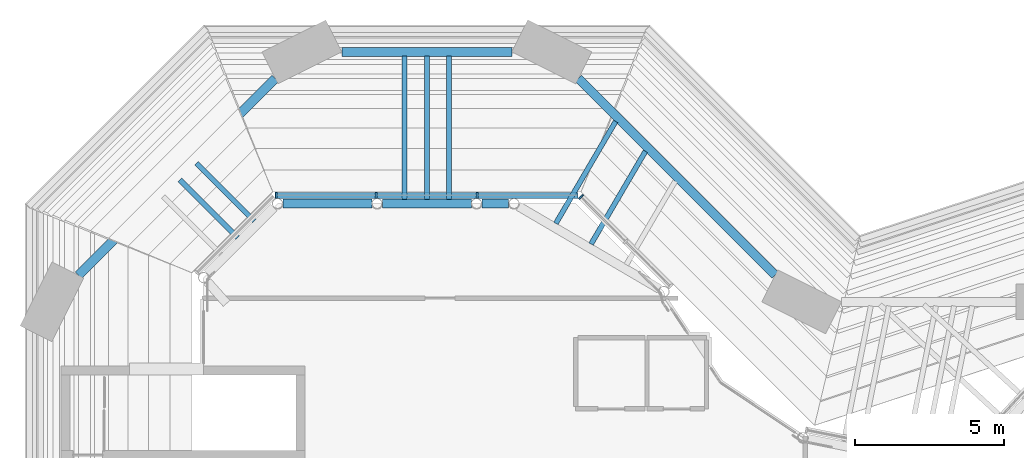
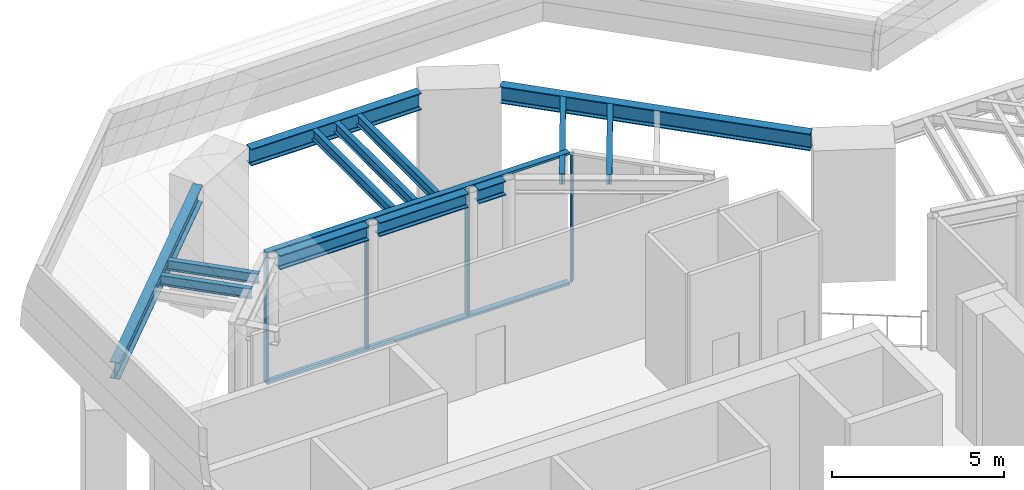
# One storey, part 7 of 20: 13 beams, 6 members, 2 elements without a shape of their own.
"""IFC4 building model written with IfcOpenShell, lengths in metres."""

from ifc_helpers import new_model, si_unit, direction, frame, origin, origin_2d, place, context, subcontext, project, spatial, rectangle, i_section, extrude, material, material_profile, profile_set, type_object, element, aggregate, save


model = new_model("IFC4")

# Units and contexts
model_context = context("Model", 3, precision=1e-05, world=origin(), true_north=direction((0.0, 1.0)))
body_context = subcontext(model_context, "Body", "Model", "MODEL_VIEW")
ifc_project = project(units=[si_unit("LENGTHUNIT", "METRE"), si_unit("AREAUNIT", "SQUARE_METRE"), si_unit("VOLUMEUNIT", "CUBIC_METRE"), si_unit("PLANEANGLEUNIT", "RADIAN"), si_unit("MASSUNIT", "GRAM", prefix="KILO")], contexts=[model_context])

# Site, building, storey
site_placement = place(None, origin())
site = spatial("IfcSite", under=ifc_project, at=site_placement, CompositionType="ELEMENT")
building_placement = place(site_placement, origin())
building = spatial("IfcBuilding", under=site, at=building_placement, Name="Brevane Broadcast Tower", CompositionType="ELEMENT")
storey_placement = place(building_placement, frame((0.0, 0.0, 264.199951171875)))
storey = spatial("IfcBuildingStorey", under=building, at=storey_placement, Name="L66", CompositionType="ELEMENT", Elevation=264.199951171875)

# Curtain wall, member
ifc_material_1 = material(Name="Aluminium 6063-T6 bronze anodised", Category="aluminium")
curtain_wall_type = type_object("IfcCurtainWallType", Name="CW-5 curtain wall", PredefinedType="NOTDEFINED", material=ifc_material_1)
curtain_wall_1_placement = place(storey_placement, origin())
curtain_wall_1 = element("IfcCurtainWall", 1, at=curtain_wall_1_placement, inside=storey, type_object=curtain_wall_type, Name="CW-5 gallery glazing 16", PredefinedType="NOTDEFINED")
ifc_material_profile_1 = material_profile(ifc_material_1, rectangle(XDim=0.199951171875, YDim=0.06005859375, at=origin_2d()), Name="RECT 60x200")
ifc_profile_set_1 = profile_set([ifc_material_profile_1], Name="Aluminium 6063-T6 bronze anodised")
member_type_1 = type_object("IfcMemberType", Name="CW-5 hall mullion 60x200", PredefinedType="MULLION", material=ifc_profile_set_1)
member_1_placement = place(storey_placement, frame((17.78125, 28.7294921875, 0.080078125), z_axis=(0.0, 0.0, 1.0), x_axis=(-0.707106781187, -0.707106781187, 0.0)))
member_1 = element("IfcMember", 2, at=member_1_placement, type_object=member_type_1, Name="CW-5 gallery glazing mullion", PredefinedType="MULLION", context=body_context, shape_type="SweptSolid", body=[
    extrude(rectangle(XDim=0.199951171875, YDim=0.06005859375, at=origin_2d()), origin(), (0.0, 0.0, 1.0), 4.5400390625),
])
aggregate(curtain_wall_1, [member_1])

# Curtain wall, members
curtain_wall_2_placement = place(storey_placement, origin())
curtain_wall_2 = element("IfcCurtainWall", 3, at=curtain_wall_2_placement, inside=storey, type_object=curtain_wall_type, Name="CW-5 gallery glazing 17", PredefinedType="NOTDEFINED")
member_2_placement = place(storey_placement, frame((14.29638671875, 28.780029296875, 0.080078125), z_axis=(0.0, 0.0, 1.0), x_axis=(0.0, -1.0, 0.0)))
member_2 = element("IfcMember", 4, at=member_2_placement, type_object=member_type_1, Name="CW-5 gallery glazing mullion", PredefinedType="MULLION", context=body_context, shape_type="SweptSolid", body=[
    extrude(rectangle(XDim=0.199951171875, YDim=0.06005859375, at=origin_2d()), origin(), (0.0, 0.0, 1.0), 4.5400390625),
])
member_3_placement = place(storey_placement, frame((10.903564453125, 28.780029296875, 0.080078125), z_axis=(0.0, 0.0, 1.0), x_axis=(0.0, -1.0, 0.0)))
member_3 = element("IfcMember", 5, at=member_3_placement, type_object=member_type_1, Name="CW-5 gallery glazing mullion", PredefinedType="MULLION", context=body_context, shape_type="SweptSolid", body=[
    extrude(rectangle(XDim=0.199951171875, YDim=0.06005859375, at=origin_2d()), origin(), (0.0, 0.0, 1.0), 4.5400390625),
])
member_4_placement = place(storey_placement, frame((7.540771484375, 28.780029296875, 0.080078125), z_axis=(0.0, 0.0, 1.0), x_axis=(0.0, -1.0, 0.0)))
member_4 = element("IfcMember", 6, at=member_4_placement, type_object=member_type_1, Name="CW-5 gallery glazing mullion", PredefinedType="MULLION", context=body_context, shape_type="SweptSolid", body=[
    extrude(rectangle(XDim=0.199951171875, YDim=0.06005859375, at=origin_2d()), origin(), (0.0, 0.0, 1.0), 4.5400390625),
])
ifc_material_profile_2 = material_profile(ifc_material_1, rectangle(XDim=0.199951171875, YDim=0.080078125, at=origin_2d()), Name="RECT 80x200")
ifc_profile_set_2 = profile_set([ifc_material_profile_2], Name="Aluminium 6063-T6 bronze anodised")
member_type_2 = type_object("IfcMemberType", Name="CW-5 hall transom 80x200", PredefinedType="USERDEFINED", material=ifc_profile_set_2)
member_5_placement = place(storey_placement, frame((17.689208984375, 28.780029296875, 0.0400390625), z_axis=(-1.0, 0.0, 0.0), x_axis=(0.0, -1.0, 0.0)))
member_5 = element("IfcMember", 7, at=member_5_placement, type_object=member_type_2, Name="CW-5 gallery glazing transom", ObjectType="TRANSOM", PredefinedType="USERDEFINED", context=body_context, shape_type="SweptSolid", body=[
    extrude(rectangle(XDim=0.199951171875, YDim=0.080078125, at=origin_2d()), origin(), (0.0, 0.0, 1.0), 10.178466796875),
])
member_6_placement = place(storey_placement, frame((17.689208984375, 28.780029296875, 4.66015625), z_axis=(-1.0, 0.0, 0.0), x_axis=(0.0, -1.0, 0.0)))
member_6 = element("IfcMember", 8, at=member_6_placement, type_object=member_type_2, Name="CW-5 gallery glazing transom", ObjectType="TRANSOM", PredefinedType="USERDEFINED", context=body_context, shape_type="SweptSolid", body=[
    extrude(rectangle(XDim=0.199951171875, YDim=0.080078125, at=origin_2d()), origin(), (0.0, 0.0, 1.0), 10.178466796875),
])
aggregate(curtain_wall_2, [member_2, member_3, member_4, member_5, member_6])

# Beams
ifc_material_2 = material(Name="Steel S355", Category="steel")
ifc_material_profile_3 = material_profile(ifc_material_2, i_section(OverallWidth=0.169921875, OverallDepth=0.360107421875, WebThickness=0.008056640625, FlangeThickness=0.0126953125, FilletRadius=0.01806640625, at=origin_2d()), Name="IPE 360")
ifc_profile_set_3 = profile_set([ifc_material_profile_3], Name="Steel S355")
beam_type_1 = type_object("IfcBeamType", Name="STEEL CANOPY RAFTER IPE 360 S355", PredefinedType="BEAM", material=ifc_profile_set_3)
for number, where, z_axis, x_axis, name in (
    (9, (6.24365234375, 27.3564453125, 4.52001953125), (-0.707106781187, 0.707106781187, 0.0), (-0.707106781187, -0.707106781187, 0.0), "SB2 2"),
    (10, (6.802001953125, 27.914794921875, 4.52001953125), (-0.707106781187, 0.707106781187, 0.0), (-0.707106781187, -0.707106781187, 0.0), "SB2 3"),
):
    element("IfcBeam", number, at=place(storey_placement, frame(where, z_axis=z_axis, x_axis=x_axis)), inside=storey, type_object=beam_type_1, Name=name, PredefinedType="BEAM", context=body_context, shape_type="SweptSolid", body=[
        extrude(i_section(OverallWidth=0.169921875, OverallDepth=0.360107421875, WebThickness=0.008056640625, FlangeThickness=0.0126953125, FilletRadius=0.01806640625, at=origin_2d()), origin(), (0.0, 0.0, 1.0), 2.75),
    ])
for number, where, z_axis, x_axis, name in (
    (11, (11.85302734375, 28.639892578125, 4.52001953125), (0.0, 1.0, 0.0), (-1.0, 0.0, 0.0), "SB2 4"),
    (12, (12.60009765625, 28.639892578125, 4.52001953125), (0.0, 1.0, 0.0), (-1.0, 0.0, 0.0), "SB2 5"),
    (13, (13.346923828125, 28.639892578125, 4.52001953125), (0.0, 1.0, 0.0), (-1.0, 0.0, 0.0), "SB2 6"),
):
    element("IfcBeam", number, at=place(storey_placement, frame(where, z_axis=z_axis, x_axis=x_axis)), inside=storey, type_object=beam_type_1, Name=name, PredefinedType="BEAM", context=body_context, shape_type="SweptSolid", body=[
        extrude(i_section(OverallWidth=0.169921875, OverallDepth=0.360107421875, WebThickness=0.008056640625, FlangeThickness=0.0126953125, FilletRadius=0.01806640625, at=origin_2d()), origin(), (0.0, 0.0, 1.0), 4.820068359375),
    ])
beam_1_placement = place(storey_placement, frame((16.936767578125, 27.8369140625, 4.52001953125), z_axis=(0.505727387648, 0.862693346087, 0.0), x_axis=(-0.862693346087, 0.505727387648, 0.0)))
element("IfcBeam", 14, at=beam_1_placement, inside=storey, type_object=beam_type_1, Name="SB2 7", PredefinedType="BEAM", context=body_context, shape_type="SweptSolid", body=[
    extrude(i_section(OverallWidth=0.169921875, OverallDepth=0.360107421875, WebThickness=0.008056640625, FlangeThickness=0.0126953125, FilletRadius=0.01806640625, at=origin_2d()), origin(), (0.0, 0.0, 1.0), 3.9716796875),
])
beam_2_placement = place(storey_placement, frame((18.120361328125, 27.14306640625, 4.52001953125), z_axis=(0.505785388252, 0.8626593424, 0.0), x_axis=(-0.8626593424, 0.505785388252, 0.0)))
element("IfcBeam", 15, at=beam_2_placement, inside=storey, type_object=beam_type_1, Name="SB2 8", PredefinedType="BEAM", context=body_context, shape_type="SweptSolid", body=[
    extrude(i_section(OverallWidth=0.169921875, OverallDepth=0.360107421875, WebThickness=0.008056640625, FlangeThickness=0.0126953125, FilletRadius=0.01806640625, at=origin_2d()), origin(), (0.0, 0.0, 1.0), 3.613525390625),
])
ifc_material_profile_4 = material_profile(ifc_material_2, i_section(OverallWidth=0.300048828125, OverallDepth=0.60009765625, WebThickness=0.015380859375, FlangeThickness=0.030029296875, FilletRadius=0.027099609375, at=origin_2d()), Name="HE 600 B")
ifc_profile_set_4 = profile_set([ifc_material_profile_4], Name="Steel S355")
beam_type_2 = type_object("IfcBeamType", Name="STEEL CANOPY RING BEAM HE 600 B S355", PredefinedType="BEAM", material=ifc_profile_set_4)
beam_3_placement = place(storey_placement, frame((24.3056640625, 26.094482421875, 4.400146484375), z_axis=(-0.707119837193, 0.707093724939, 0.0), x_axis=(-0.707093724939, -0.707119837193, 0.0)))
element("IfcBeam", 16, at=beam_3_placement, inside=storey, type_object=beam_type_2, Name="SB1 7", PredefinedType="BEAM", context=body_context, shape_type="SweptSolid", body=[
    extrude(i_section(OverallWidth=0.300048828125, OverallDepth=0.60009765625, WebThickness=0.015380859375, FlangeThickness=0.030029296875, FilletRadius=0.027099609375, at=origin_2d()), origin(), (0.0, 0.0, 1.0), 9.349609375),
])
beam_4_placement = place(storey_placement, frame((15.458251953125, 33.60009765625, 4.400146484375), z_axis=(-1.0, 0.0, 0.0), x_axis=(0.0, -1.0, 0.0)))
element("IfcBeam", 17, at=beam_4_placement, inside=storey, type_object=beam_type_2, Name="SB1 8", PredefinedType="BEAM", context=body_context, shape_type="SweptSolid", body=[
    extrude(i_section(OverallWidth=0.300048828125, OverallDepth=0.60009765625, WebThickness=0.015380859375, FlangeThickness=0.030029296875, FilletRadius=0.027099609375, at=origin_2d()), origin(), (0.0, 0.0, 1.0), 5.716552734375),
])
beam_5_placement = place(storey_placement, frame((7.505615234375, 32.70556640625, 4.400146484375), z_axis=(-0.707106781187, -0.707106781187, 0.0), x_axis=(0.707106781187, -0.707106781187, 0.0)))
element("IfcBeam", 18, at=beam_5_placement, inside=storey, type_object=beam_type_2, Name="SB1 9", PredefinedType="BEAM", context=body_context, shape_type="SweptSolid", body=[
    extrude(i_section(OverallWidth=0.300048828125, OverallDepth=0.60009765625, WebThickness=0.015380859375, FlangeThickness=0.030029296875, FilletRadius=0.027099609375, at=origin_2d()), origin(), (0.0, 0.0, 1.0), 9.349365234375),
])
ifc_material_profile_5 = material_profile(ifc_material_2, i_section(OverallWidth=0.300048828125, OverallDepth=0.5, WebThickness=0.014404296875, FlangeThickness=0.028076171875, FilletRadius=0.027099609375, at=origin_2d()), Name="HE 500 B")
ifc_profile_set_5 = profile_set([ifc_material_profile_5], Name="Steel S355")
beam_type_3 = type_object("IfcBeamType", Name="STEEL ENCLOSURE RING BEAM HE 500 B S355", PredefinedType="BEAM", material=ifc_profile_set_5)
for number, where, z_axis, x_axis, name in (
    (19, (7.76318359375, 28.5, 4.449951171875), (1.0, 0.0, 0.0), (0.0, 1.0, 0.0), "SB3 E2"),
    (20, (11.106201171875, 28.5, 4.449951171875), (1.0, 0.0, 0.0), (0.0, 1.0, 0.0), "SB3 E3"),
):
    element("IfcBeam", number, at=place(storey_placement, frame(where, z_axis=z_axis, x_axis=x_axis)), inside=storey, type_object=beam_type_3, Name=name, PredefinedType="BEAM", context=body_context, shape_type="SweptSolid", body=[
        extrude(i_section(OverallWidth=0.300048828125, OverallDepth=0.5, WebThickness=0.014404296875, FlangeThickness=0.028076171875, FilletRadius=0.027099609375, at=origin_2d()), origin(), (0.0, 0.0, 1.0), 2.987548828125),
    ])
beam_6_placement = place(storey_placement, frame((14.449462890625, 28.5, 4.449951171875), z_axis=(1.0, 0.0, 0.0), x_axis=(0.0, 1.0, 0.0)))
element("IfcBeam", 21, at=beam_6_placement, inside=storey, type_object=beam_type_3, Name="SB3 E4", PredefinedType="BEAM", context=body_context, shape_type="SweptSolid", body=[
    extrude(i_section(OverallWidth=0.300048828125, OverallDepth=0.5, WebThickness=0.014404296875, FlangeThickness=0.028076171875, FilletRadius=0.027099609375, at=origin_2d()), origin(), (0.0, 0.0, 1.0), 0.901611328125),
])

save(model, "model.ifc")
